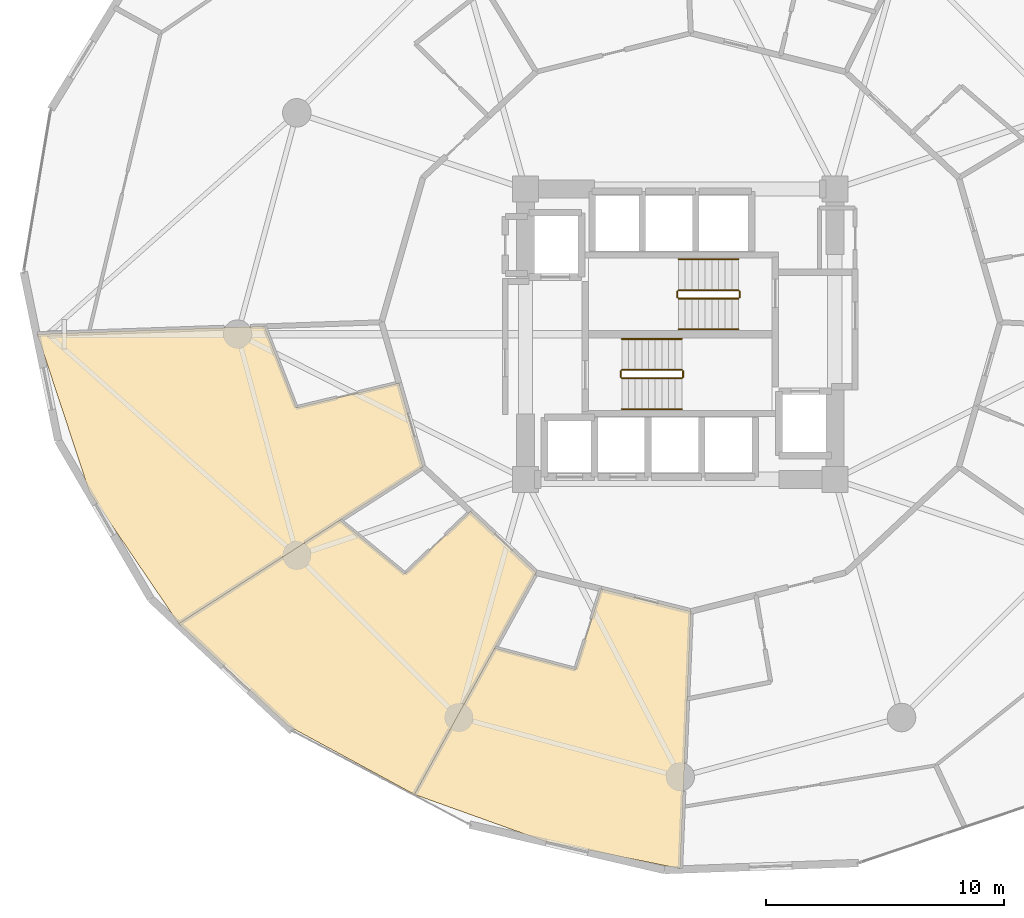
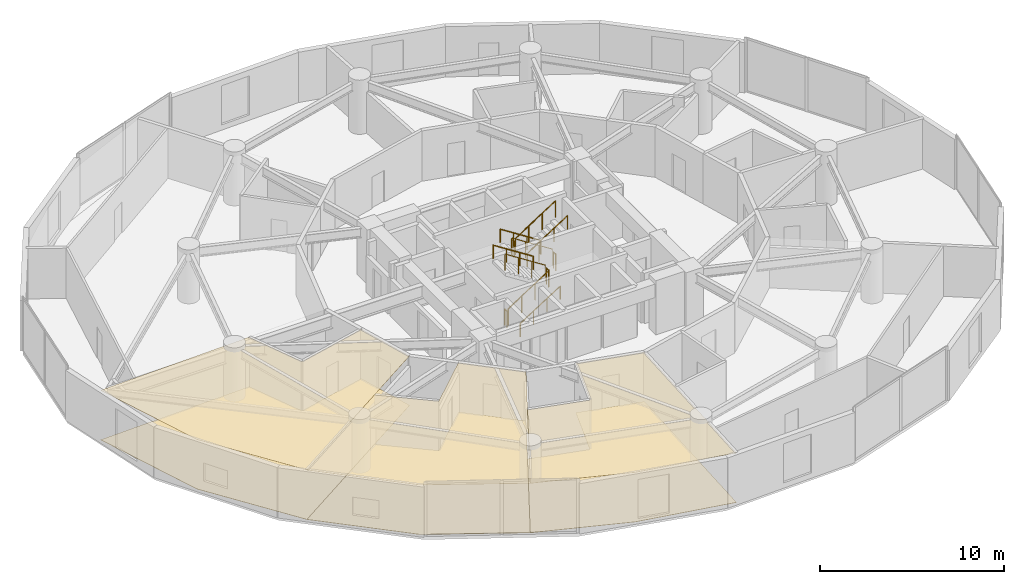
# One storey, part 22 of 23: 12 railings, 6 coverings.
"""IFC4 building model written with IfcOpenShell, lengths in metres."""

from ifc_helpers import new_model, si_unit, direction, frame, origin, origin_2d, place, context, subcontext, project, spatial, polyline, circle, outline, extrude, material, layer, layer_set, type_object, element, save


model = new_model("IFC4")

# Units and contexts
model_context = context("Model", 3, precision=1e-05, world=origin(), true_north=direction((0.0, 1.0)))
body_context = subcontext(model_context, "Body", "Model", "MODEL_VIEW")
ifc_project = project(units=[si_unit("LENGTHUNIT", "METRE"), si_unit("AREAUNIT", "SQUARE_METRE"), si_unit("VOLUMEUNIT", "CUBIC_METRE"), si_unit("PLANEANGLEUNIT", "RADIAN"), si_unit("MASSUNIT", "GRAM", prefix="KILO")], contexts=[model_context])

# Site, building, storey
site_placement = place(None, origin())
site = spatial("IfcSite", under=ifc_project, at=site_placement, CompositionType="ELEMENT")
building_placement = place(site_placement, origin())
building = spatial("IfcBuilding", under=site, at=building_placement, Name="Solvirekh Grand Hotel", CompositionType="ELEMENT")
storey_placement = place(building_placement, frame((0.0, 0.0, 75.199951171875)))
storey = spatial("IfcBuildingStorey", under=building, at=storey_placement, Name="L18", CompositionType="ELEMENT", Elevation=75.199951171875)

# Coverings
ifc_material_1 = material(Name="Acoustic Mineral Ceiling Tile")
ifc_layer_1 = layer(ifc_material_1, 0.02490234375)
ifc_layer_set_1 = layer_set([ifc_layer_1], Name="Acoustic Mineral Ceiling Tile")
covering_type_1 = type_object("IfcCoveringType", Name="Cov_Ceiling_Acoustic", PredefinedType="CEILING", material=ifc_layer_set_1)
covering_1_placement = place(storey_placement, frame((0.0, 0.0, 3.2900390625)))
element("IfcCovering", 1, at=covering_1_placement, inside=storey, type_object=covering_type_1, Name="L18 Deluxe Guestroom 2002 acoustic ceiling", PredefinedType="CEILING", context=body_context, shape_type="SweptSolid", body=[
    extrude(outline(polyline([(-16.135009765625, -3.091064453125), (-17.466064453125, 0.330078125), (-27.010009765625, 0.0), (-24.81689453125, -6.64990234375), (-21.070068359375, -12.1650390625), (-10.80810546875, -5.574951171875), (-11.818115234375, -2.051025390625), (-16.135009765625, -3.091064453125)])), origin(), (0.0, 0.0, 1.0), 0.01806640625),
])
covering_2_placement = place(storey_placement, frame((0.0, 0.0, 3.2900390625)))
element("IfcCovering", 2, at=covering_2_placement, inside=storey, type_object=covering_type_1, Name="L18 Deluxe Guestroom 2003 acoustic ceiling", PredefinedType="CEILING", context=body_context, shape_type="SweptSolid", body=[
    extrude(outline(polyline([(-11.56396484375, -10.072998046875), (-14.297119140625, -7.81591796875), (-21.070068359375, -12.1650390625), (-16.462890625, -16.462890625), (-11.166015625, -19.340087890625), (-6.050048828125, -10.02197265625), (-8.81005859375, -7.443115234375), (-11.56396484375, -10.072998046875)])), origin(), (0.0, 0.0, 1.0), 0.01806640625),
])
covering_3_placement = place(storey_placement, frame((0.0, 0.0, 3.2900390625)))
element("IfcCovering", 3, at=covering_3_placement, inside=storey, type_object=covering_type_1, Name="L18 Deluxe Guestroom 2004 acoustic ceiling", PredefinedType="CEILING", context=body_context, shape_type="SweptSolid", body=[
    extrude(outline(polyline([(-4.39306640625, -14.0869140625), (-7.7890625, -13.18994140625), (-11.166015625, -19.340087890625), (-5.70703125, -21.300048828125), (0.0, -22.4560546875), (0.449951171875, -11.64990234375), (-3.320068359375, -10.7060546875), (-4.39306640625, -14.0869140625)])), origin(), (0.0, 0.0, 1.0), 0.01806640625),
])
ifc_material_2 = material(Name="Porcelain Stoneware Flooring", Category="masonry")
ifc_layer_2 = layer(ifc_material_2, 0.030029296875)
ifc_layer_set_2 = layer_set([ifc_layer_2], Name="Porcelain Stoneware Flooring")
covering_type_2 = type_object("IfcCoveringType", Name="Cov_Floor_Stone", PredefinedType="FLOORING", material=ifc_layer_set_2)
covering_4_placement = place(storey_placement, origin())
element("IfcCovering", 4, at=covering_4_placement, inside=storey, type_object=covering_type_2, Name="L18 Deluxe Guestroom 2002 polished granite flooring", PredefinedType="FLOORING", context=body_context, shape_type="SweptSolid", body=[
    extrude(outline(polyline([(-16.135009765625, -3.091064453125), (-17.466064453125, 0.330078125), (-27.010009765625, 0.0), (-24.81689453125, -6.64990234375), (-21.070068359375, -12.1650390625), (-10.80810546875, -5.574951171875), (-11.818115234375, -2.051025390625), (-16.135009765625, -3.091064453125)])), origin(), (0.0, 0.0, 1.0), 0.02001953125),
])
covering_5_placement = place(storey_placement, origin())
element("IfcCovering", 5, at=covering_5_placement, inside=storey, type_object=covering_type_2, Name="L18 Deluxe Guestroom 2003 polished granite flooring", PredefinedType="FLOORING", context=body_context, shape_type="SweptSolid", body=[
    extrude(outline(polyline([(-11.56396484375, -10.072998046875), (-14.297119140625, -7.81591796875), (-21.070068359375, -12.1650390625), (-16.462890625, -16.462890625), (-11.166015625, -19.340087890625), (-6.050048828125, -10.02197265625), (-8.81005859375, -7.443115234375), (-11.56396484375, -10.072998046875)])), origin(), (0.0, 0.0, 1.0), 0.02001953125),
])
covering_6_placement = place(storey_placement, origin())
element("IfcCovering", 6, at=covering_6_placement, inside=storey, type_object=covering_type_2, Name="L18 Deluxe Guestroom 2004 polished granite flooring", PredefinedType="FLOORING", context=body_context, shape_type="SweptSolid", body=[
    extrude(outline(polyline([(-4.39306640625, -14.0869140625), (-7.7890625, -13.18994140625), (-11.166015625, -19.340087890625), (-5.70703125, -21.300048828125), (0.0, -22.4560546875), (0.449951171875, -11.64990234375), (-3.320068359375, -10.7060546875), (-4.39306640625, -14.0869140625)])), origin(), (0.0, 0.0, 1.0), 0.02001953125),
])

# Railings
ifc_material_3 = material(Name="Steel S355", Category="steel")
railing_type_1 = type_object("IfcRailingType", Name="Guard_Stair_1100", PredefinedType="GUARDRAIL", material=ifc_material_3)
railing_1_placement = place(storey_placement, frame((-2.449951171875, -1.85009765625, 0.179931640625)))
element("IfcRailing", 7, at=railing_1_placement, inside=storey, type_object=railing_type_1, Name="L18 ST-1 stair guard 1", PredefinedType="GUARDRAIL", context=body_context, shape_type="SweptSolid", body=[
    extrude(circle(Radius=0.02392578125, at=origin_2d()), frame((0.0, 0.0, 1.076171875), z_axis=(0.841162588446, 0.0, 0.540782303519), x_axis=(0.0, 1.0, 0.0)), (0.0, 0.0, 1.0), 2.995849609375),
    extrude(circle(Radius=0.02099609375, at=origin_2d()), origin(), (0.0, 0.0, 1.0), 1.052001953125),
    extrude(circle(Radius=0.02099609375, at=origin_2d()), frame((0.840087890625, 0.0, 0.5400390625)), (0.0, 0.0, 1.0), 1.052001953125),
    extrude(circle(Radius=0.02099609375, at=origin_2d()), frame((1.679931640625, 0.0, 1.080078125)), (0.0, 0.0, 1.0), 1.052001953125),
    extrude(circle(Radius=0.02099609375, at=origin_2d()), frame((2.52001953125, 0.0, 1.6201171875)), (0.0, 0.0, 1.0), 1.052001953125),
])
railing_2_placement = place(storey_placement, frame((0.1201171875, -1.800048828125, 1.800048828125)))
element("IfcRailing", 8, at=railing_2_placement, inside=storey, type_object=railing_type_1, Name="L18 ST-1 stair guard 2", PredefinedType="GUARDRAIL", context=body_context, shape_type="SweptSolid", body=[
    extrude(circle(Radius=0.02392578125, at=origin_2d()), frame((0.0, 0.0, 1.076171875), z_axis=(0.0, 1.0, 0.0), x_axis=(-1.0, 0.0, 0.0)), (0.0, 0.0, 1.0), 0.25),
    extrude(circle(Radius=0.02099609375, at=origin_2d()), origin(), (0.0, 0.0, 1.0), 1.052001953125),
    extrude(circle(Radius=0.02099609375, at=origin_2d()), frame((0.0, 0.25, 0.0)), (0.0, 0.0, 1.0), 1.052001953125),
])
railing_3_placement = place(storey_placement, frame((0.070068359375, -1.5, 1.97998046875)))
element("IfcRailing", 9, at=railing_3_placement, inside=storey, type_object=railing_type_1, Name="L18 ST-1 stair guard 3", PredefinedType="GUARDRAIL", context=body_context, shape_type="SweptSolid", body=[
    extrude(circle(Radius=0.02392578125, at=origin_2d()), frame((0.0, 0.0, 1.076171875), z_axis=(-0.841162588446, 0.0, 0.540782303519), x_axis=(0.0, -1.0, 0.0)), (0.0, 0.0, 1.0), 2.995849609375),
    extrude(circle(Radius=0.02099609375, at=origin_2d()), origin(), (0.0, 0.0, 1.0), 1.052001953125),
    extrude(circle(Radius=0.02099609375, at=origin_2d()), frame((-0.840087890625, 0.0, 0.5400390625)), (0.0, 0.0, 1.0), 1.052001953125),
    extrude(circle(Radius=0.02099609375, at=origin_2d()), frame((-1.679931640625, 0.0, 1.080078125)), (0.0, 0.0, 1.0), 1.052001953125),
    extrude(circle(Radius=0.02099609375, at=origin_2d()), frame((-2.52001953125, 0.0, 1.6201171875)), (0.0, 0.0, 1.0), 1.052001953125),
])
railing_4_placement = place(storey_placement, frame((-2.5, -1.800048828125, 0.0)))
element("IfcRailing", 10, at=railing_4_placement, inside=storey, type_object=railing_type_1, Name="L18 ST-1 stair guard 4", PredefinedType="GUARDRAIL", context=body_context, shape_type="SweptSolid", body=[
    extrude(circle(Radius=0.02392578125, at=origin_2d()), frame((0.0, 0.0, 1.076171875), z_axis=(0.0, 1.0, 0.0), x_axis=(-1.0, 0.0, 0.0)), (0.0, 0.0, 1.0), 0.25),
    extrude(circle(Radius=0.02099609375, at=origin_2d()), origin(), (0.0, 0.0, 1.0), 1.052001953125),
    extrude(circle(Radius=0.02099609375, at=origin_2d()), frame((0.0, 0.25, 0.0)), (0.0, 0.0, 1.0), 1.052001953125),
])
railing_5_placement = place(storey_placement, frame((2.449951171875, 1.85009765625, 0.179931640625)))
element("IfcRailing", 11, at=railing_5_placement, inside=storey, type_object=railing_type_1, Name="L18 ST-2 stair guard 1", PredefinedType="GUARDRAIL", context=body_context, shape_type="SweptSolid", body=[
    extrude(circle(Radius=0.02392578125, at=origin_2d()), frame((0.0, 0.0, 1.076171875), z_axis=(-0.841162588446, 0.0, 0.540782303519), x_axis=(0.0, -1.0, 0.0)), (0.0, 0.0, 1.0), 2.995849609375),
    extrude(circle(Radius=0.02099609375, at=origin_2d()), origin(), (0.0, 0.0, 1.0), 1.052001953125),
    extrude(circle(Radius=0.02099609375, at=origin_2d()), frame((-0.840087890625, 0.0, 0.5400390625)), (0.0, 0.0, 1.0), 1.052001953125),
    extrude(circle(Radius=0.02099609375, at=origin_2d()), frame((-1.679931640625, 0.0, 1.080078125)), (0.0, 0.0, 1.0), 1.052001953125),
    extrude(circle(Radius=0.02099609375, at=origin_2d()), frame((-2.52001953125, 0.0, 1.6201171875)), (0.0, 0.0, 1.0), 1.052001953125),
])
railing_6_placement = place(storey_placement, frame((-0.1201171875, 1.800048828125, 1.800048828125)))
element("IfcRailing", 12, at=railing_6_placement, inside=storey, type_object=railing_type_1, Name="L18 ST-2 stair guard 2", PredefinedType="GUARDRAIL", context=body_context, shape_type="SweptSolid", body=[
    extrude(circle(Radius=0.02392578125, at=origin_2d()), frame((0.0, 0.0, 1.076171875), z_axis=(0.0, -1.0, 0.0), x_axis=(1.0, 0.0, 0.0)), (0.0, 0.0, 1.0), 0.25),
    extrude(circle(Radius=0.02099609375, at=origin_2d()), origin(), (0.0, 0.0, 1.0), 1.052001953125),
    extrude(circle(Radius=0.02099609375, at=origin_2d()), frame((0.0, -0.25, 0.0)), (0.0, 0.0, 1.0), 1.052001953125),
])
railing_7_placement = place(storey_placement, frame((-0.070068359375, 1.5, 1.97998046875)))
element("IfcRailing", 13, at=railing_7_placement, inside=storey, type_object=railing_type_1, Name="L18 ST-2 stair guard 3", PredefinedType="GUARDRAIL", context=body_context, shape_type="SweptSolid", body=[
    extrude(circle(Radius=0.02392578125, at=origin_2d()), frame((0.0, 0.0, 1.076171875), z_axis=(0.841162588446, 0.0, 0.540782303519), x_axis=(0.0, 1.0, 0.0)), (0.0, 0.0, 1.0), 2.995849609375),
    extrude(circle(Radius=0.02099609375, at=origin_2d()), origin(), (0.0, 0.0, 1.0), 1.052001953125),
    extrude(circle(Radius=0.02099609375, at=origin_2d()), frame((0.840087890625, 0.0, 0.5400390625)), (0.0, 0.0, 1.0), 1.052001953125),
    extrude(circle(Radius=0.02099609375, at=origin_2d()), frame((1.679931640625, 0.0, 1.080078125)), (0.0, 0.0, 1.0), 1.052001953125),
    extrude(circle(Radius=0.02099609375, at=origin_2d()), frame((2.52001953125, 0.0, 1.6201171875)), (0.0, 0.0, 1.0), 1.052001953125),
])
railing_8_placement = place(storey_placement, frame((2.5, 1.800048828125, 0.0)))
element("IfcRailing", 14, at=railing_8_placement, inside=storey, type_object=railing_type_1, Name="L18 ST-2 stair guard 4", PredefinedType="GUARDRAIL", context=body_context, shape_type="SweptSolid", body=[
    extrude(circle(Radius=0.02392578125, at=origin_2d()), frame((0.0, 0.0, 1.076171875), z_axis=(0.0, -1.0, 0.0), x_axis=(1.0, 0.0, 0.0)), (0.0, 0.0, 1.0), 0.25),
    extrude(circle(Radius=0.02099609375, at=origin_2d()), origin(), (0.0, 0.0, 1.0), 1.052001953125),
    extrude(circle(Radius=0.02099609375, at=origin_2d()), frame((0.0, -0.25, 0.0)), (0.0, 0.0, 1.0), 1.052001953125),
])
ifc_material_4 = material(Name="Anodized Bronze Aluminium 6063-T6", Category="aluminium")
railing_type_2 = type_object("IfcRailingType", Name="Handrail_Wall_900", PredefinedType="HANDRAIL", material=ifc_material_4)
railing_9_placement = place(storey_placement, frame((-2.449951171875, -3.14990234375, 0.179931640625)))
element("IfcRailing", 15, at=railing_9_placement, inside=storey, type_object=railing_type_2, Name="L18 ST-1 stair handrail 1", PredefinedType="HANDRAIL", context=body_context, shape_type="SweptSolid", body=[
    extrude(circle(Radius=0.02392578125, at=origin_2d()), frame((0.0, 0.0, 0.8759765625), z_axis=(0.841162588446, 0.0, 0.540782303519), x_axis=(0.0, 1.0, 0.0)), (0.0, 0.0, 1.0), 2.995849609375),
    extrude(circle(Radius=0.02099609375, at=origin_2d()), origin(), (0.0, 0.0, 1.0), 0.851806640625),
    extrude(circle(Radius=0.02099609375, at=origin_2d()), frame((0.840087890625, 0.0, 0.5400390625)), (0.0, 0.0, 1.0), 0.851806640625),
    extrude(circle(Radius=0.02099609375, at=origin_2d()), frame((1.679931640625, 0.0, 1.080078125)), (0.0, 0.0, 1.0), 0.851806640625),
    extrude(circle(Radius=0.02099609375, at=origin_2d()), frame((2.52001953125, 0.0, 1.6201171875)), (0.0, 0.0, 1.0), 0.851806640625),
])
for number, where, name in (
    (16, (0.070068359375, -0.199951171875, 1.97998046875), "L18 ST-1 stair handrail 2"),
    (17, (2.449951171875, 3.14990234375, 0.179931640625), "L18 ST-2 stair handrail 1"),
):
    element("IfcRailing", number, at=place(storey_placement, frame(where)), inside=storey, type_object=railing_type_2, Name=name, PredefinedType="HANDRAIL", context=body_context, shape_type="SweptSolid", body=[
        extrude(circle(Radius=0.02392578125, at=origin_2d()), frame((0.0, 0.0, 0.8759765625), z_axis=(-0.841162588446, 0.0, 0.540782303519), x_axis=(0.0, -1.0, 0.0)), (0.0, 0.0, 1.0), 2.995849609375),
        extrude(circle(Radius=0.02099609375, at=origin_2d()), origin(), (0.0, 0.0, 1.0), 0.851806640625),
        extrude(circle(Radius=0.02099609375, at=origin_2d()), frame((-0.840087890625, 0.0, 0.5400390625)), (0.0, 0.0, 1.0), 0.851806640625),
        extrude(circle(Radius=0.02099609375, at=origin_2d()), frame((-1.679931640625, 0.0, 1.080078125)), (0.0, 0.0, 1.0), 0.851806640625),
        extrude(circle(Radius=0.02099609375, at=origin_2d()), frame((-2.52001953125, 0.0, 1.6201171875)), (0.0, 0.0, 1.0), 0.851806640625),
    ])
railing_10_placement = place(storey_placement, frame((-0.070068359375, 0.199951171875, 1.97998046875)))
element("IfcRailing", 18, at=railing_10_placement, inside=storey, type_object=railing_type_2, Name="L18 ST-2 stair handrail 2", PredefinedType="HANDRAIL", context=body_context, shape_type="SweptSolid", body=[
    extrude(circle(Radius=0.02392578125, at=origin_2d()), frame((0.0, 0.0, 0.8759765625), z_axis=(0.841162588446, 0.0, 0.540782303519), x_axis=(0.0, 1.0, 0.0)), (0.0, 0.0, 1.0), 2.995849609375),
    extrude(circle(Radius=0.02099609375, at=origin_2d()), origin(), (0.0, 0.0, 1.0), 0.851806640625),
    extrude(circle(Radius=0.02099609375, at=origin_2d()), frame((0.840087890625, 0.0, 0.5400390625)), (0.0, 0.0, 1.0), 0.851806640625),
    extrude(circle(Radius=0.02099609375, at=origin_2d()), frame((1.679931640625, 0.0, 1.080078125)), (0.0, 0.0, 1.0), 0.851806640625),
    extrude(circle(Radius=0.02099609375, at=origin_2d()), frame((2.52001953125, 0.0, 1.6201171875)), (0.0, 0.0, 1.0), 0.851806640625),
])

save(model, "model.ifc")
